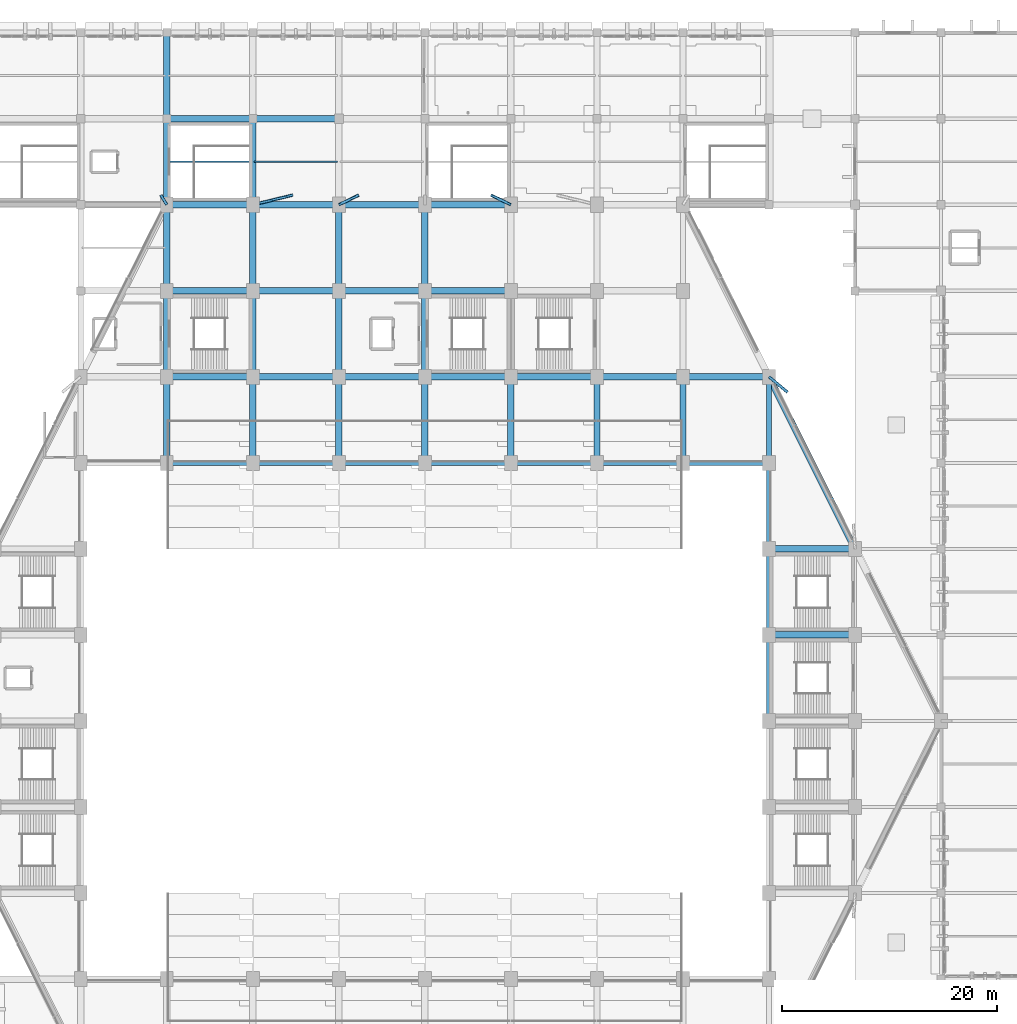
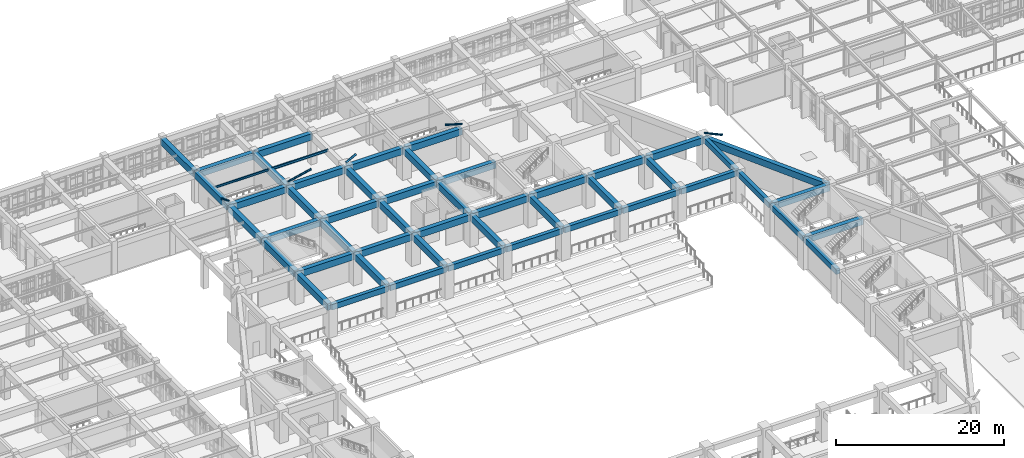
# One storey, part 30 of 155: 51 beams, 5 members.
"""IFC4 building model written with IfcOpenShell, lengths in metres."""

from ifc_helpers import new_model, si_unit, direction, frame, origin, origin_2d, place, context, subcontext, project, spatial, rectangle, hollow_circle, i_section, extrude, material, material_profile, profile_set, type_object, element, save


model = new_model("IFC4")

# Units and contexts
model_context = context("Model", 3, precision=1e-05, world=origin(), true_north=direction((0.0, 1.0)))
body_context = subcontext(model_context, "Body", "Model", "MODEL_VIEW")
ifc_project = project(units=[si_unit("LENGTHUNIT", "METRE"), si_unit("AREAUNIT", "SQUARE_METRE"), si_unit("VOLUMEUNIT", "CUBIC_METRE"), si_unit("PLANEANGLEUNIT", "RADIAN"), si_unit("MASSUNIT", "GRAM", prefix="KILO")], contexts=[model_context])

# Site, building, storey
site_placement = place(None, origin())
site = spatial("IfcSite", under=ifc_project, at=site_placement, CompositionType="ELEMENT")
building_placement = place(site_placement, origin())
building = spatial("IfcBuilding", under=site, at=building_placement, Name="Tazarka Park Arena", CompositionType="ELEMENT")
storey_placement = place(building_placement, frame((0.0, 0.0, 5.39990234375)))
storey = spatial("IfcBuildingStorey", under=building, at=storey_placement, Name="L01", CompositionType="ELEMENT", Elevation=5.39990234375)

# Beams
ifc_material_1 = material(Name="Concrete C40/50", Category="concrete")
ifc_material_profile_1 = material_profile(ifc_material_1, rectangle(XDim=0.60009765625, YDim=0.949951171875, at=origin_2d()), Name="Concrete C40/50")
ifc_profile_set_1 = profile_set([ifc_material_profile_1], Name="Concrete C40/50")
beam_type_1 = type_object("IfcBeamType", Name="BM-B-03", PredefinedType="BEAM", material=ifc_profile_set_1)
for number, where, z_axis, x_axis, name in (
    (1, (64.0, 88.1201171875, 3.945068359375), (0.0, 1.0, 0.0), (-1.0, 0.0, 0.0), "GYM-L01-08-11"),
    (2, (64.1201171875, 96.0, 3.945068359375), (1.0, 0.0, 0.0), (0.0, 1.0, 0.0), "GXM-L01-08-12"),
    (3, (64.0, 96.1201171875, 3.945068359375), (0.0, 1.0, 0.0), (-1.0, 0.0, 0.0), "GYM-L01-08-12"),
    (4, (64.1201171875, 104.0, 3.945068359375), (1.0, 0.0, 0.0), (0.0, 1.0, 0.0), "GXM-L01-08-13"),
    (5, (64.0, 104.1201171875, 3.945068359375), (0.0, 1.0, 0.0), (-1.0, 0.0, 0.0), "GYM-L01-08-13"),
    (6, (64.1201171875, 112.0, 3.945068359375), (1.0, 0.0, 0.0), (0.0, 1.0, 0.0), "GXM-L01-08-14"),
    (7, (64.0, 112.1201171875, 3.945068359375), (0.0, 1.0, 0.0), (-1.0, 0.0, 0.0), "GYM-L01-08-14"),
    (8, (64.1201171875, 120.0, 3.945068359375), (1.0, 0.0, 0.0), (0.0, 1.0, 0.0), "GXM-L01-08-15"),
    (9, (64.0, 120.1201171875, 3.945068359375), (0.0, 1.0, 0.0), (-1.0, 0.0, 0.0), "GYM-L01-08-15"),
    (10, (72.0, 88.1201171875, 3.945068359375), (0.0, 1.0, 0.0), (-1.0, 0.0, 0.0), "GYM-L01-09-11"),
    (11, (72.1201171875, 96.0, 3.945068359375), (1.0, 0.0, 0.0), (0.0, 1.0, 0.0), "GXM-L01-09-12"),
    (12, (72.0, 96.1201171875, 3.945068359375), (0.0, 1.0, 0.0), (-1.0, 0.0, 0.0), "GYM-L01-09-12"),
    (13, (72.1201171875, 104.0, 3.945068359375), (1.0, 0.0, 0.0), (0.0, 1.0, 0.0), "GXM-L01-09-13"),
    (14, (72.0, 104.1201171875, 3.945068359375), (0.0, 1.0, 0.0), (-1.0, 0.0, 0.0), "GYM-L01-09-13"),
    (15, (72.1201171875, 112.0, 3.945068359375), (1.0, 0.0, 0.0), (0.0, 1.0, 0.0), "GXM-L01-09-14"),
    (16, (72.0, 112.1201171875, 3.945068359375), (0.0, 1.0, 0.0), (-1.0, 0.0, 0.0), "GYM-L01-09-14"),
    (17, (72.1201171875, 120.0, 3.945068359375), (1.0, 0.0, 0.0), (0.0, 1.0, 0.0), "GXM-L01-09-15"),
    (18, (80.0, 88.1201171875, 3.945068359375), (0.0, 1.0, 0.0), (-1.0, 0.0, 0.0), "GYM-L01-10-11"),
    (19, (80.1201171875, 96.0, 3.945068359375), (1.0, 0.0, 0.0), (0.0, 1.0, 0.0), "GXM-L01-10-12"),
    (20, (80.0, 96.1201171875, 3.945068359375), (0.0, 1.0, 0.0), (-1.0, 0.0, 0.0), "GYM-L01-10-12"),
    (21, (80.1201171875, 104.0, 3.945068359375), (1.0, 0.0, 0.0), (0.0, 1.0, 0.0), "GXM-L01-10-13"),
    (22, (80.0, 104.1201171875, 3.945068359375), (0.0, 1.0, 0.0), (-1.0, 0.0, 0.0), "GYM-L01-10-13"),
    (23, (80.1201171875, 112.0, 3.945068359375), (1.0, 0.0, 0.0), (0.0, 1.0, 0.0), "GXM-L01-10-14"),
    (24, (88.0, 88.1201171875, 3.945068359375), (0.0, 1.0, 0.0), (-1.0, 0.0, 0.0), "GYM-L01-11-11"),
    (25, (88.1201171875, 96.0, 3.945068359375), (1.0, 0.0, 0.0), (0.0, 1.0, 0.0), "GXM-L01-11-12"),
    (26, (88.0, 96.1201171875, 3.945068359375), (0.0, 1.0, 0.0), (-1.0, 0.0, 0.0), "GYM-L01-11-12"),
    (27, (88.1201171875, 104.0, 3.945068359375), (1.0, 0.0, 0.0), (0.0, 1.0, 0.0), "GXM-L01-11-13"),
    (28, (88.0, 104.1201171875, 3.945068359375), (0.0, 1.0, 0.0), (-1.0, 0.0, 0.0), "GYM-L01-11-13"),
    (29, (88.1201171875, 112.0, 3.945068359375), (1.0, 0.0, 0.0), (0.0, 1.0, 0.0), "GXM-L01-11-14"),
    (30, (96.0, 88.1201171875, 3.945068359375), (0.0, 1.0, 0.0), (-1.0, 0.0, 0.0), "GYM-L01-12-11"),
    (31, (96.1201171875, 96.0, 3.945068359375), (1.0, 0.0, 0.0), (0.0, 1.0, 0.0), "GXM-L01-12-12"),
    (32, (104.0, 88.1201171875, 3.945068359375), (0.0, 1.0, 0.0), (-1.0, 0.0, 0.0), "GYM-L01-13-11"),
    (33, (104.1201171875, 96.0, 3.945068359375), (1.0, 0.0, 0.0), (0.0, 1.0, 0.0), "GXM-L01-13-12"),
    (34, (112.0, 88.1201171875, 3.945068359375), (0.0, 1.0, 0.0), (-1.0, 0.0, 0.0), "GYM-L01-14-11"),
    (35, (112.1201171875, 96.0, 3.945068359375), (1.0, 0.0, 0.0), (0.0, 1.0, 0.0), "GXM-L01-14-12"),
    (36, (120.1201171875, 72.0, 3.945068359375), (1.0, 0.0, 0.0), (0.0, 1.0, 0.0), "GXM-L01-15-09"),
    (37, (120.1201171875, 80.0, 3.945068359375), (1.0, 0.0, 0.0), (0.0, 1.0, 0.0), "GXM-L01-15-10"),
):
    element("IfcBeam", number, at=place(storey_placement, frame(where, z_axis=z_axis, x_axis=x_axis)), inside=storey, type_object=beam_type_1, Name=name, PredefinedType="BEAM", context=body_context, shape_type="SweptSolid", body=[
        extrude(rectangle(XDim=0.60009765625, YDim=0.949951171875, at=origin_2d()), origin(), (0.0, 0.0, 1.0), 7.759765625),
    ])
ifc_material_2 = material(Name="Steel S355", Category="steel")
ifc_material_profile_2 = material_profile(ifc_material_2, i_section(OverallWidth=0.14990234375, OverallDepth=0.300048828125, WebThickness=0.007080078125, FlangeThickness=0.0107421875, FilletRadius=0.014892578125, at=origin_2d()), Name="Steel S355")
ifc_profile_set_2 = profile_set([ifc_material_profile_2], Name="Steel S355")
beam_type_2 = type_object("IfcBeamType", Name="BM-J-01", PredefinedType="JOIST", material=ifc_profile_set_2)
beam_1_placement = place(storey_placement, frame((64.1201171875, 116.0, 4.27001953125), z_axis=(1.0, 0.0, 0.0), x_axis=(0.0, 1.0, 0.0)))
element("IfcBeam", 38, at=beam_1_placement, inside=storey, type_object=beam_type_2, Name="JST-L01-08-14", PredefinedType="JOIST", context=body_context, shape_type="SweptSolid", body=[
    extrude(i_section(OverallWidth=0.14990234375, OverallDepth=0.300048828125, WebThickness=0.007080078125, FlangeThickness=0.0107421875, FilletRadius=0.014892578125, at=origin_2d()), origin(), (0.0, 0.0, 1.0), 7.759765625),
])
ifc_material_3 = material(Name="Steel S355", Category="steel")
ifc_material_profile_3 = material_profile(ifc_material_3, i_section(OverallWidth=0.169921875, OverallDepth=0.360107421875, WebThickness=0.008056640625, FlangeThickness=0.0126953125, FilletRadius=0.01806640625, at=origin_2d()), Name="Steel S355")
ifc_profile_set_3 = profile_set([ifc_material_profile_3], Name="Steel S355")
beam_type_3 = type_object("IfcBeamType", Name="BM-J-02", PredefinedType="JOIST", material=ifc_profile_set_3)
beam_2_placement = place(storey_placement, frame((72.1201171875, 116.0, 4.239990234375), z_axis=(1.0, 0.0, 0.0), x_axis=(0.0, 1.0, 0.0)))
element("IfcBeam", 39, at=beam_2_placement, inside=storey, type_object=beam_type_3, Name="JST-L01-09-14", PredefinedType="JOIST", context=body_context, shape_type="SweptSolid", body=[
    extrude(i_section(OverallWidth=0.169921875, OverallDepth=0.360107421875, WebThickness=0.008056640625, FlangeThickness=0.0126953125, FilletRadius=0.01806640625, at=origin_2d()), origin(), (0.0, 0.0, 1.0), 7.759765625),
])
ifc_material_4 = material(Name="Concrete C40/50", Category="concrete")
ifc_material_profile_4 = material_profile(ifc_material_4, rectangle(XDim=0.5, YDim=0.800048828125, at=origin_2d()), Name="Concrete C40/50")
ifc_profile_set_4 = profile_set([ifc_material_profile_4], Name="Concrete C40/50")
beam_type_4 = type_object("IfcBeamType", Name="BM-SP-01", PredefinedType="SPANDREL", material=ifc_profile_set_4)
for number, where, z_axis, x_axis, name in (
    (40, (64.1201171875, 88.0, 4.02001953125), (1.0, 0.0, 0.0), (0.0, 1.0, 0.0), "GXM-L01-08-11"),
    (41, (72.1201171875, 88.0, 4.02001953125), (1.0, 0.0, 0.0), (0.0, 1.0, 0.0), "GXM-L01-09-11"),
    (42, (80.1201171875, 88.0, 4.02001953125), (1.0, 0.0, 0.0), (0.0, 1.0, 0.0), "GXM-L01-10-11"),
    (43, (88.1201171875, 88.0, 4.02001953125), (1.0, 0.0, 0.0), (0.0, 1.0, 0.0), "GXM-L01-11-11"),
    (44, (96.1201171875, 88.0, 4.02001953125), (1.0, 0.0, 0.0), (0.0, 1.0, 0.0), "GXM-L01-12-11"),
    (45, (104.1201171875, 88.0, 4.02001953125), (1.0, 0.0, 0.0), (0.0, 1.0, 0.0), "GXM-L01-13-11"),
    (46, (112.1201171875, 88.0, 4.02001953125), (1.0, 0.0, 0.0), (0.0, 1.0, 0.0), "GXM-L01-14-11"),
    (47, (120.0, 64.1201171875, 4.02001953125), (0.0, 1.0, 0.0), (-1.0, 0.0, 0.0), "GYM-L01-15-08"),
    (48, (120.0, 72.1201171875, 4.02001953125), (0.0, 1.0, 0.0), (-1.0, 0.0, 0.0), "GYM-L01-15-09"),
    (49, (120.0, 80.1201171875, 4.02001953125), (0.0, 1.0, 0.0), (-1.0, 0.0, 0.0), "GYM-L01-15-10"),
    (50, (120.0, 88.1201171875, 4.02001953125), (0.0, 1.0, 0.0), (-1.0, 0.0, 0.0), "GYM-L01-15-11"),
):
    element("IfcBeam", number, at=place(storey_placement, frame(where, z_axis=z_axis, x_axis=x_axis)), inside=storey, type_object=beam_type_4, Name=name, PredefinedType="SPANDREL", context=body_context, shape_type="SweptSolid", body=[
        extrude(rectangle(XDim=0.5, YDim=0.800048828125, at=origin_2d()), origin(), (0.0, 0.0, 1.0), 7.759765625),
    ])
ifc_material_5 = material(Name="Concrete C40/50", Category="concrete")
ifc_material_profile_5 = material_profile(ifc_material_5, rectangle(XDim=0.60009765625, YDim=0.949951171875, at=origin_2d()), Name="Concrete C40/50")
ifc_profile_set_5 = profile_set([ifc_material_profile_5], Name="Concrete C40/50")
beam_type_5 = type_object("IfcBeamType", Name="BM-SP-03", PredefinedType="SPANDREL", material=ifc_profile_set_5)
beam_3_placement = place(storey_placement, frame((127.9462890625, 80.107421875, 3.945068359375), z_axis=(-0.4472135955, 0.894427191, 0.0), x_axis=(-0.894427191, -0.4472135955, 0.0)))
element("IfcBeam", 51, at=beam_3_placement, inside=storey, type_object=beam_type_5, Name="RING BEAM SP-03-L01-11", PredefinedType="SPANDREL", context=body_context, shape_type="SweptSolid", body=[
    extrude(rectangle(XDim=0.60009765625, YDim=0.949951171875, at=origin_2d()), origin(), (0.0, 0.0, 1.0), 17.6484375),
])

# Members
ifc_material_6 = material(Name="Steel S355", Category="steel")
ifc_material_profile_6 = material_profile(ifc_material_6, hollow_circle(Radius=0.136474609375, WallThickness=0.012451171875, at=origin_2d()), Name="Steel S355")
ifc_profile_set_6 = profile_set([ifc_material_profile_6], Name="Steel S355")
member_type = type_object("IfcMemberType", Name="MEM-SR-01", PredefinedType="STRUT", material=ifc_profile_set_6)
member_1_placement = place(storey_placement, frame((120.0, 96.0, 4.800048828125), z_axis=(0.768239102798, -0.640163011219, 0.0), x_axis=(0.640163011219, 0.768239102798, 0.0)))
element("IfcMember", 52, at=member_1_placement, inside=storey, type_object=member_type, Name="FSB-11", PredefinedType="STRUT", context=body_context, shape_type="SweptSolid", body=[
    extrude(hollow_circle(Radius=0.136474609375, WallThickness=0.012451171875, at=origin_2d()), origin(), (0.0, 0.0, 1.0), 2.24560546875),
])
for number, where, z_axis, x_axis, name in (
    (53, (96.0, 112.0, 4.800048828125), (-0.900277218924, 0.435317044333, 0.0), (-0.435317044333, -0.900277218924, 0.0), "FSB-14"),
    (54, (80.0, 112.0, 4.800048828125), (0.900277218924, 0.435317044333, 0.0), (-0.435317044333, 0.900277218924, 0.0), "FSB-16"),
):
    element("IfcMember", number, at=place(storey_placement, frame(where, z_axis=z_axis, x_axis=x_axis)), inside=storey, type_object=member_type, Name=name, PredefinedType="STRUT", context=body_context, shape_type="SweptSolid", body=[
        extrude(hollow_circle(Radius=0.136474609375, WallThickness=0.012451171875, at=origin_2d()), origin(), (0.0, 0.0, 1.0), 2.067138671875),
    ])
member_2_placement = place(storey_placement, frame((72.0, 112.0, 4.800048828125), z_axis=(0.971992374621, 0.235012390479, 0.0), x_axis=(-0.235012390479, 0.971992374621, 0.0)))
element("IfcMember", 55, at=member_2_placement, inside=storey, type_object=member_type, Name="FSB-17", PredefinedType="STRUT", context=body_context, shape_type="SweptSolid", body=[
    extrude(hollow_circle(Radius=0.136474609375, WallThickness=0.012451171875, at=origin_2d()), origin(), (0.0, 0.0, 1.0), 3.8291015625),
])
member_3_placement = place(storey_placement, frame((64.0, 112.0, 4.800048828125), z_axis=(-0.525718874276, 0.850658371633, 0.0), x_axis=(-0.850658371633, -0.525718874276, 0.0)))
element("IfcMember", 56, at=member_3_placement, inside=storey, type_object=member_type, Name="FSB-18", PredefinedType="STRUT", context=body_context, shape_type="SweptSolid", body=[
    extrude(hollow_circle(Radius=0.136474609375, WallThickness=0.012451171875, at=origin_2d()), origin(), (0.0, 0.0, 1.0), 1.057861328125),
])

save(model, "model.ifc")
